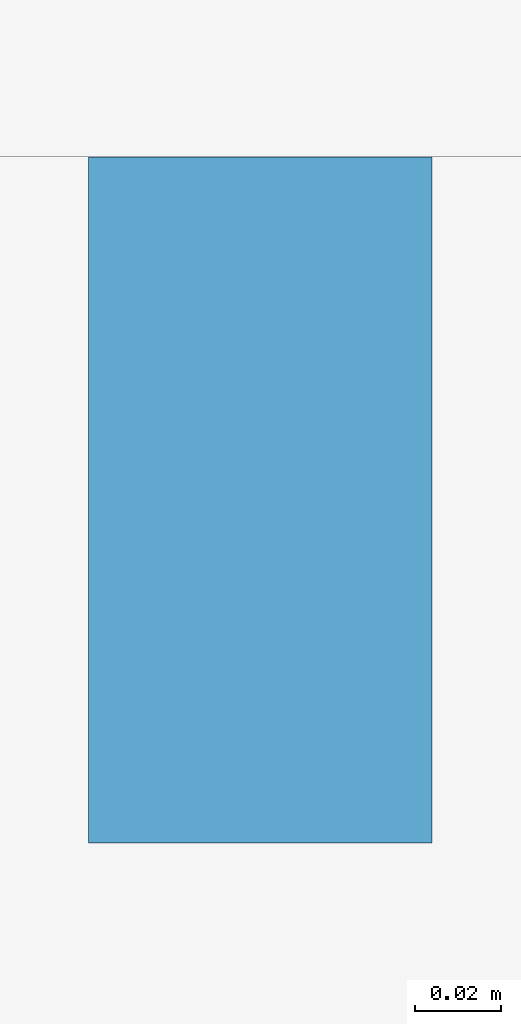
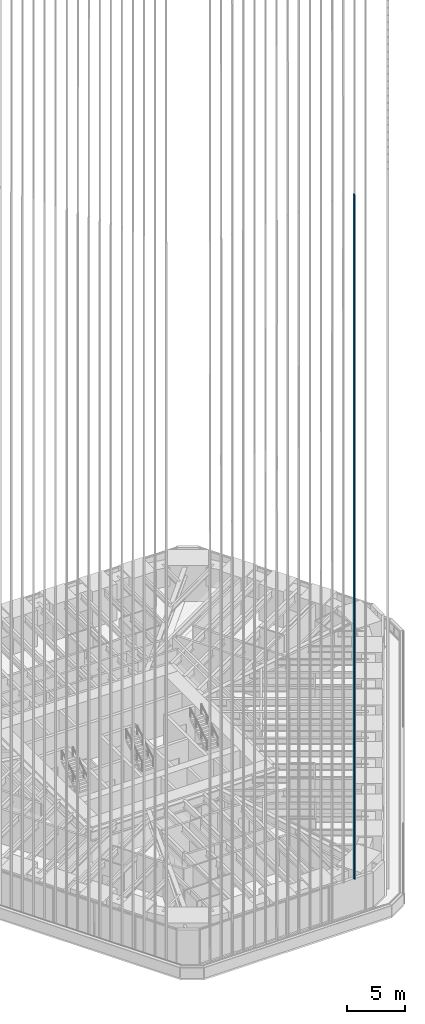
# One storey, part 65 of 238: 1 member, 1 element without a shape of its own.
"""IFC4 building model written with IfcOpenShell, lengths in metres."""

from ifc_helpers import new_model, si_unit, direction, frame, origin, origin_2d, place, context, subcontext, project, spatial, rectangle, extrude, material, material_profile, profile_set, type_object, element, aggregate, save


model = new_model("IFC4")

# Units and contexts
model_context = context("Model", 3, precision=1e-05, world=origin(), true_north=direction((0.0, 1.0)))
body_context = subcontext(model_context, "Body", "Model", "MODEL_VIEW")
ifc_project = project(units=[si_unit("LENGTHUNIT", "METRE"), si_unit("AREAUNIT", "SQUARE_METRE"), si_unit("VOLUMEUNIT", "CUBIC_METRE"), si_unit("PLANEANGLEUNIT", "RADIAN"), si_unit("MASSUNIT", "GRAM", prefix="KILO")], contexts=[model_context])

# Site, building, storey
site_placement = place(None, origin())
site = spatial("IfcSite", under=ifc_project, at=site_placement, CompositionType="ELEMENT")
building_placement = place(site_placement, origin())
building = spatial("IfcBuilding", under=site, at=building_placement, Name="Sandreach Pilgrim Tower", CompositionType="ELEMENT")
storey_placement = place(building_placement, frame((0.0, 0.0, 96.800048828125)))
storey = spatial("IfcBuildingStorey", under=building, at=storey_placement, Name="L23", CompositionType="ELEMENT", Elevation=96.800048828125)

# Curtain wall, member
ifc_material_1 = material(Name="Aluminium framed curtain wall", Category="aluminium")
curtain_wall_type = type_object("IfcCurtainWallType", Name="Hotel tower curtain wall", PredefinedType="NOTDEFINED", material=ifc_material_1)
curtain_wall_placement = place(storey_placement, origin())
curtain_wall = element("IfcCurtainWall", 1, at=curtain_wall_placement, inside=storey, type_object=curtain_wall_type, Name="CW-2 L23 SA", PredefinedType="NOTDEFINED")
ifc_material_2 = material(Name="Extruded terracotta on aluminium core", Category="masonry")
ifc_material_profile = material_profile(ifc_material_2, rectangle(XDim=0.080078125, YDim=0.159912109375, at=origin_2d()), Name="TBS 80X160")
ifc_profile_set = profile_set([ifc_material_profile], Name="Extruded terracotta on aluminium core")
member_type = type_object("IfcMemberType", Name="Terracotta baguette south", PredefinedType="USERDEFINED", material=ifc_profile_set)
member_placement = place(storey_placement, frame((6.623046875, -28.572265625, 3.800048828125), z_axis=(0.0, 0.0, 1.0), x_axis=(-1.0, 0.0, 0.0)))
member = element("IfcMember", 2, at=member_placement, type_object=member_type, Name="Baguette Z2 S02", ObjectType="BAGUETTE", PredefinedType="USERDEFINED", context=body_context, shape_type="SweptSolid", body=[
    extrude(rectangle(XDim=0.080078125, YDim=0.159912109375, at=origin_2d()), origin(), (0.0, 0.0, 1.0), 72.039794921875),
])
aggregate(curtain_wall, [member])

save(model, "model.ifc")
